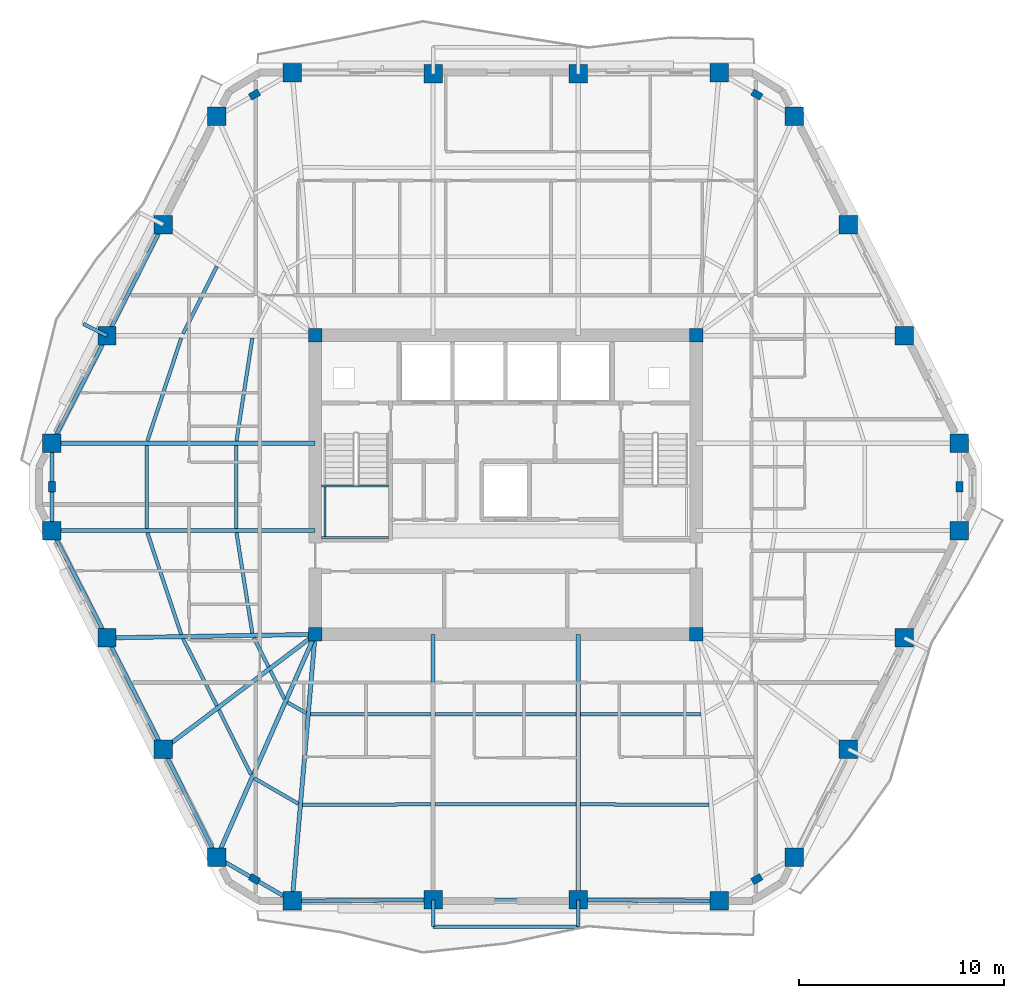
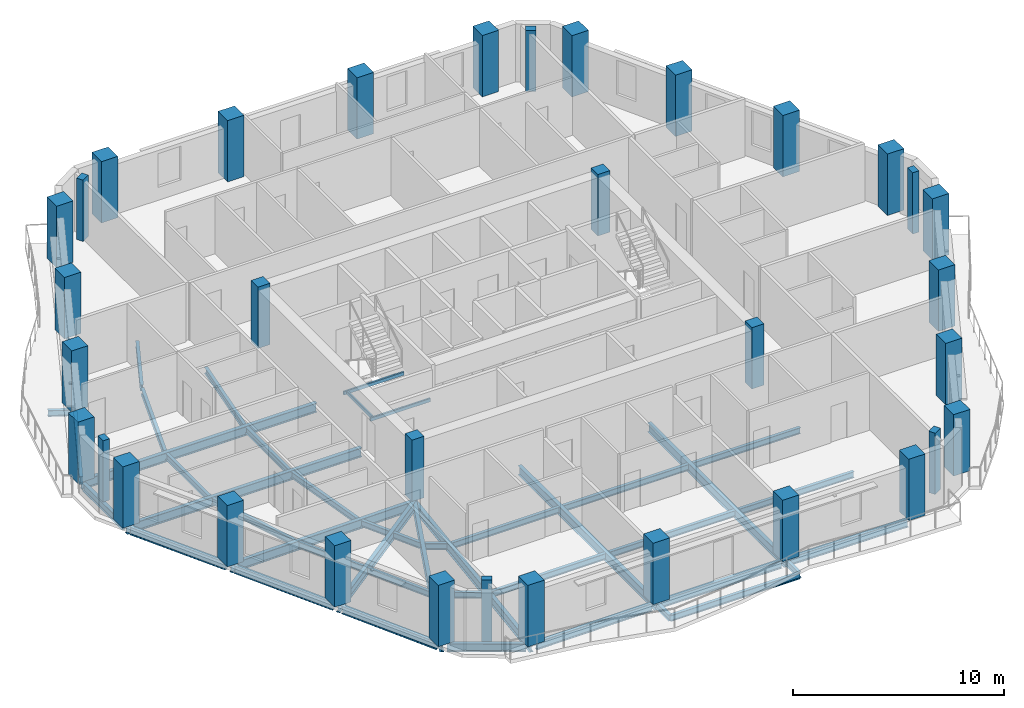
# One storey, part 1 of 12: 44 beams, 34 columns.
"""IFC4 building model written with IfcOpenShell, lengths in metres."""

from ifc_helpers import new_model, si_unit, direction, frame, origin, origin_2d, place, context, subcontext, project, spatial, rectangle, hollow_rectangle, i_section, extrude, material, material_profile, profile_set, type_object, element, save


model = new_model("IFC4")

# Units and contexts
model_context = context("Model", 3, precision=1e-05, world=origin(), true_north=direction((0.0, 1.0)))
body_context = subcontext(model_context, "Body", "Model", "MODEL_VIEW")
ifc_project = project(units=[si_unit("LENGTHUNIT", "METRE"), si_unit("AREAUNIT", "SQUARE_METRE"), si_unit("VOLUMEUNIT", "CUBIC_METRE"), si_unit("PLANEANGLEUNIT", "RADIAN"), si_unit("MASSUNIT", "GRAM", prefix="KILO")], contexts=[model_context])

# Site, building, storey
site_placement = place(None, origin())
site = spatial("IfcSite", under=ifc_project, at=site_placement, CompositionType="ELEMENT")
building_placement = place(site_placement, origin())
building = spatial("IfcBuilding", under=site, at=building_placement, Name="Cinnabar Lancet Tower", CompositionType="ELEMENT")
storey_placement = place(building_placement, frame((0.0, 0.0, 186.10009765625)))
storey = spatial("IfcBuildingStorey", under=building, at=storey_placement, Name="L49", CompositionType="ELEMENT", Elevation=186.10009765625)

# Columns
ifc_material_1 = material(Name="Concrete C60/75", Category="concrete")
ifc_material_profile_1 = material_profile(ifc_material_1, rectangle(XDim=0.64990234375, YDim=0.64990234375, at=origin_2d()), Name="RC-COL 650x650")
ifc_profile_set_1 = profile_set([ifc_material_profile_1], Name="Concrete C60/75")
column_type_1 = type_object("IfcColumnType", Name="STR-COL-CORE-650", PredefinedType="COLUMN", material=ifc_profile_set_1)
for number, where, z_axis, x_axis, name in (
    (1, (23.10009765625, 18.60009765625, 0.0), (0.0, 0.0, 1.0), (1.0, 0.0, 0.0), "L49 Core Corner Column SW"),
    (2, (41.699951171875, 18.60009765625, 0.0), (0.0, 0.0, 1.0), (1.0, 0.0, 0.0), "L49 Core Corner Column SE"),
    (3, (41.699951171875, 33.199951171875, 0.0), (0.0, 0.0, 1.0), (1.0, 0.0, 0.0), "L49 Core Corner Column NE"),
    (4, (23.10009765625, 33.199951171875, 0.0), (0.0, 0.0, 1.0), (1.0, 0.0, 0.0), "L49 Core Corner Column NW"),
):
    element("IfcColumn", number, at=place(storey_placement, frame(where, z_axis=z_axis, x_axis=x_axis)), inside=storey, type_object=column_type_1, Name=name, PredefinedType="COLUMN", context=body_context, shape_type="SweptSolid", body=[
        extrude(rectangle(XDim=0.64990234375, YDim=0.64990234375, at=origin_2d()), origin(), (0.0, 0.0, 1.0), 3.5498046875),
    ])
ifc_material_2 = material(Name="Concrete C60/75", Category="concrete")
ifc_material_profile_2 = material_profile(ifc_material_2, rectangle(XDim=0.5, YDim=0.35009765625, at=origin_2d()), Name="RC-PIL 500x350")
ifc_profile_set_2 = profile_set([ifc_material_profile_2], Name="Concrete C60/75")
column_type_2 = type_object("IfcColumnType", Name="STR-COL-PIL-500", PredefinedType="PILASTER", material=ifc_profile_set_2)
for number, where, z_axis, x_axis, name in (
    (5, (20.14208984375, 6.654052734375, 0.0), (0.0, 0.0, 1.0), (0.865230187018, -0.501374833306, 0.0), "L49 Chamfered Corner Pilaster 1"),
    (6, (44.657958984375, 6.654052734375, 0.0), (0.0, 0.0, 1.0), (0.865230187018, 0.501374833306, 0.0), "L49 Chamfered Corner Pilaster 2"),
    (7, (54.547119140625, 25.800048828125, 0.0), (0.0, 0.0, 1.0), (0.0, 1.0, 0.0), "L49 Chamfered Corner Pilaster 3"),
    (8, (44.657958984375, 44.947021484375, 0.0), (0.0, 0.0, 1.0), (-0.865230187018, 0.501374833306, 0.0), "L49 Chamfered Corner Pilaster 4"),
    (9, (20.14208984375, 44.947021484375, 0.0), (0.0, 0.0, 1.0), (-0.865230187018, -0.501374833306, 0.0), "L49 Chamfered Corner Pilaster 5"),
    (10, (10.2529296875, 25.800048828125, 0.0), (0.0, 0.0, 1.0), (0.0, -1.0, 0.0), "L49 Chamfered Corner Pilaster 6"),
):
    element("IfcColumn", number, at=place(storey_placement, frame(where, z_axis=z_axis, x_axis=x_axis)), inside=storey, type_object=column_type_2, Name=name, PredefinedType="PILASTER", context=body_context, shape_type="SweptSolid", body=[
        extrude(rectangle(XDim=0.5, YDim=0.35009765625, at=origin_2d()), origin(), (0.0, 0.0, 1.0), 3.5498046875),
    ])
ifc_material_3 = material(Name="Concrete C60/75", Category="concrete")
ifc_material_profile_3 = material_profile(ifc_material_3, rectangle(XDim=0.89990234375, YDim=0.89990234375, at=origin_2d()), Name="RC-COL 900x900")
ifc_profile_set_3 = profile_set([ifc_material_profile_3], Name="Concrete C60/75")
column_type_3 = type_object("IfcColumnType", Name="STR-COL-TUBE-900", PredefinedType="COLUMN", material=ifc_profile_set_3)
for number, where, z_axis, x_axis, name in (
    (11, (21.97900390625, 5.589111328125, 0.0), (0.0, 0.0, 1.0), (1.0, 0.0, 0.0), "L49 Perimeter Tube Column 1"),
    (12, (28.85693359375, 5.64208984375, 0.0), (0.0, 0.0, 1.0), (1.0, 0.0, 0.0), "L49 Perimeter Tube Column 2"),
    (13, (35.943115234375, 5.64208984375, 0.0), (0.0, 0.0, 1.0), (1.0, 0.0, 0.0), "L49 Perimeter Tube Column 3"),
    (14, (42.821044921875, 5.589111328125, 0.0), (0.0, 0.0, 1.0), (1.0, 0.0, 0.0), "L49 Perimeter Tube Column 4"),
    (15, (46.4951171875, 7.718017578125, 0.0), (0.0, 0.0, 1.0), (1.0, 0.0, 0.0), "L49 Perimeter Tube Column 5"),
    (16, (49.118896484375, 13.0009765625, 0.0), (0.0, 0.0, 1.0), (1.0, 0.0, 0.0), "L49 Perimeter Tube Column 6"),
    (17, (51.85791015625, 18.428955078125, 0.0), (0.0, 0.0, 1.0), (1.0, 0.0, 0.0), "L49 Perimeter Tube Column 7"),
    (18, (54.547119140625, 23.66796875, 0.0), (0.0, 0.0, 1.0), (1.0, 0.0, 0.0), "L49 Perimeter Tube Column 8"),
    (19, (54.547119140625, 27.931884765625, 0.0), (0.0, 0.0, 1.0), (1.0, 0.0, 0.0), "L49 Perimeter Tube Column 9"),
    (20, (51.85791015625, 33.1708984375, 0.0), (0.0, 0.0, 1.0), (1.0, 0.0, 0.0), "L49 Perimeter Tube Column 10"),
    (21, (49.118896484375, 38.59912109375, 0.0), (0.0, 0.0, 1.0), (1.0, 0.0, 0.0), "L49 Perimeter Tube Column 11"),
    (22, (46.4951171875, 43.882080078125, 0.0), (0.0, 0.0, 1.0), (1.0, 0.0, 0.0), "L49 Perimeter Tube Column 12"),
    (23, (42.821044921875, 46.010986328125, 0.0), (0.0, 0.0, 1.0), (1.0, 0.0, 0.0), "L49 Perimeter Tube Column 13"),
    (24, (35.943115234375, 45.9580078125, 0.0), (0.0, 0.0, 1.0), (1.0, 0.0, 0.0), "L49 Perimeter Tube Column 14"),
    (25, (28.85693359375, 45.9580078125, 0.0), (0.0, 0.0, 1.0), (1.0, 0.0, 0.0), "L49 Perimeter Tube Column 15"),
    (26, (21.97900390625, 46.010986328125, 0.0), (0.0, 0.0, 1.0), (1.0, 0.0, 0.0), "L49 Perimeter Tube Column 16"),
    (27, (18.304931640625, 43.882080078125, 0.0), (0.0, 0.0, 1.0), (1.0, 0.0, 0.0), "L49 Perimeter Tube Column 17"),
    (28, (15.680908203125, 38.59912109375, 0.0), (0.0, 0.0, 1.0), (1.0, 0.0, 0.0), "L49 Perimeter Tube Column 18"),
    (29, (12.94189453125, 33.1708984375, 0.0), (0.0, 0.0, 1.0), (1.0, 0.0, 0.0), "L49 Perimeter Tube Column 19"),
    (30, (10.2529296875, 27.931884765625, 0.0), (0.0, 0.0, 1.0), (1.0, 0.0, 0.0), "L49 Perimeter Tube Column 20"),
    (31, (10.2529296875, 23.66796875, 0.0), (0.0, 0.0, 1.0), (1.0, 0.0, 0.0), "L49 Perimeter Tube Column 21"),
    (32, (12.94189453125, 18.428955078125, 0.0), (0.0, 0.0, 1.0), (1.0, 0.0, 0.0), "L49 Perimeter Tube Column 22"),
    (33, (15.680908203125, 13.0009765625, 0.0), (0.0, 0.0, 1.0), (1.0, 0.0, 0.0), "L49 Perimeter Tube Column 23"),
    (34, (18.304931640625, 7.718017578125, 0.0), (0.0, 0.0, 1.0), (1.0, 0.0, 0.0), "L49 Perimeter Tube Column 24"),
):
    element("IfcColumn", number, at=place(storey_placement, frame(where, z_axis=z_axis, x_axis=x_axis)), inside=storey, type_object=column_type_3, Name=name, PredefinedType="COLUMN", context=body_context, shape_type="SweptSolid", body=[
        extrude(rectangle(XDim=0.89990234375, YDim=0.89990234375, at=origin_2d()), origin(), (0.0, 0.0, 1.0), 3.5498046875),
    ])

# Beams
ifc_material_4 = material(Name="Structural steel S355", Category="steel")
ifc_material_profile_4 = material_profile(ifc_material_4, i_section(OverallWidth=0.17138671875, OverallDepth=0.35498046875, WebThickness=0.00732421875, FlangeThickness=0.011474609375, FilletRadius=0.01025390625, at=origin_2d()), Name="UKB 356x171x51")
ifc_profile_set_4 = profile_set([ifc_material_profile_4], Name="Structural steel S355")
beam_type_1 = type_object("IfcBeamType", Name="STR-BM-JST-356", PredefinedType="JOIST", material=ifc_profile_set_4)
beam_1_placement = place(storey_placement, frame((14.9130859375, 23.56298828125, -0.378173828125), z_axis=(0.315346227037, -0.948976689436, 0.0), x_axis=(0.948976689436, 0.315346227037, 0.0)))
element("IfcBeam", 35, at=beam_1_placement, inside=storey, type_object=beam_type_1, Name="L49 Secondary Floor Joist 1", PredefinedType="JOIST", context=body_context, shape_type="SweptSolid", body=[
    extrude(i_section(OverallWidth=0.17138671875, OverallDepth=0.35498046875, WebThickness=0.00732421875, FlangeThickness=0.011474609375, FilletRadius=0.01025390625, at=origin_2d()), origin(), (0.0, 0.0, 1.0), 5.235107421875),
])
beam_2_placement = place(storey_placement, frame((19.261962890625, 23.56298828125, -0.378173828125), z_axis=(0.155702775827, -0.987803950994, 0.0), x_axis=(0.987803950994, 0.155702775827, 0.0)))
element("IfcBeam", 36, at=beam_2_placement, inside=storey, type_object=beam_type_1, Name="L49 Secondary Floor Joist 2", PredefinedType="JOIST", context=body_context, shape_type="SweptSolid", body=[
    extrude(i_section(OverallWidth=0.17138671875, OverallDepth=0.35498046875, WebThickness=0.00732421875, FlangeThickness=0.011474609375, FilletRadius=0.01025390625, at=origin_2d()), origin(), (0.0, 0.0, 1.0), 4.970458984375),
])
beam_3_placement = place(storey_placement, frame((16.65087890625, 18.386962890625, -0.378173828125), z_axis=(0.45061776862, -0.892716991327, 0.0), x_axis=(0.892716991327, 0.45061776862, 0.0)))
element("IfcBeam", 37, at=beam_3_placement, inside=storey, type_object=beam_type_1, Name="L49 Secondary Floor Joist 3", PredefinedType="JOIST", context=body_context, shape_type="SweptSolid", body=[
    extrude(i_section(OverallWidth=0.17138671875, OverallDepth=0.35498046875, WebThickness=0.00732421875, FlangeThickness=0.011474609375, FilletRadius=0.01025390625, at=origin_2d()), origin(), (0.0, 0.0, 1.0), 3.66845703125),
])
beam_4_placement = place(storey_placement, frame((20.10498046875, 18.445068359375, -0.378173828125), z_axis=(0.450137936259, -0.892959035085, 0.0), x_axis=(0.892959035085, 0.450137936259, 0.0)))
element("IfcBeam", 38, at=beam_4_placement, inside=storey, type_object=beam_type_1, Name="L49 Secondary Floor Joist 4", PredefinedType="JOIST", context=body_context, shape_type="SweptSolid", body=[
    extrude(i_section(OverallWidth=0.17138671875, OverallDepth=0.35498046875, WebThickness=0.00732421875, FlangeThickness=0.011474609375, FilletRadius=0.01025390625, at=origin_2d()), origin(), (0.0, 0.0, 1.0), 1.6015625),
])
beam_5_placement = place(storey_placement, frame((18.39892578125, 14.9208984375, -0.378173828125), z_axis=(0.445083338565, -0.895489152214, 0.0), x_axis=(0.895489152214, 0.445083338565, 0.0)))
element("IfcBeam", 39, at=beam_5_placement, inside=storey, type_object=beam_type_1, Name="L49 Secondary Floor Joist 5", PredefinedType="JOIST", context=body_context, shape_type="SweptSolid", body=[
    extrude(i_section(OverallWidth=0.17138671875, OverallDepth=0.35498046875, WebThickness=0.00732421875, FlangeThickness=0.011474609375, FilletRadius=0.01025390625, at=origin_2d()), origin(), (0.0, 0.0, 1.0), 3.531982421875),
])
beam_6_placement = place(storey_placement, frame((20.922119140625, 16.824951171875, -0.378173828125), z_axis=(0.444589856968, -0.895734256954, 0.0), x_axis=(0.895734256954, 0.444589856968, 0.0)))
element("IfcBeam", 40, at=beam_6_placement, inside=storey, type_object=beam_type_1, Name="L49 Secondary Floor Joist 6", PredefinedType="JOIST", context=body_context, shape_type="SweptSolid", body=[
    extrude(i_section(OverallWidth=0.17138671875, OverallDepth=0.35498046875, WebThickness=0.00732421875, FlangeThickness=0.011474609375, FilletRadius=0.01025390625, at=origin_2d()), origin(), (0.0, 0.0, 1.0), 1.527099609375),
])
beam_7_placement = place(storey_placement, frame((20.1220703125, 11.5830078125, -0.378173828125), z_axis=(0.865267839663, -0.501309849937, 0.0), x_axis=(0.501309849937, 0.865267839663, 0.0)))
element("IfcBeam", 41, at=beam_7_placement, inside=storey, type_object=beam_type_1, Name="L49 Secondary Floor Joist 7", PredefinedType="JOIST", context=body_context, shape_type="SweptSolid", body=[
    extrude(i_section(OverallWidth=0.17138671875, OverallDepth=0.35498046875, WebThickness=0.00732421875, FlangeThickness=0.011474609375, FilletRadius=0.01025390625, at=origin_2d()), origin(), (0.0, 0.0, 1.0), 2.497314453125),
])
beam_8_placement = place(storey_placement, frame((21.7529296875, 15.282958984375, -0.378173828125), z_axis=(0.8651881055, -0.501447446998, 0.0), x_axis=(0.501447446998, 0.8651881055, 0.0)))
element("IfcBeam", 42, at=beam_8_placement, inside=storey, type_object=beam_type_1, Name="L49 Secondary Floor Joist 8", PredefinedType="JOIST", context=body_context, shape_type="SweptSolid", body=[
    extrude(i_section(OverallWidth=0.17138671875, OverallDepth=0.35498046875, WebThickness=0.00732421875, FlangeThickness=0.011474609375, FilletRadius=0.01025390625, at=origin_2d()), origin(), (0.0, 0.0, 1.0), 1.05322265625),
])
beam_9_placement = place(storey_placement, frame((22.488037109375, 10.27392578125, -0.378173828125), z_axis=(0.999986965561, 0.005105752523, 0.0), x_axis=(-0.005105752523, 0.999986965561, 0.0)))
element("IfcBeam", 43, at=beam_9_placement, inside=storey, type_object=beam_type_1, Name="L49 Secondary Floor Joist 9", PredefinedType="JOIST", context=body_context, shape_type="SweptSolid", body=[
    extrude(i_section(OverallWidth=0.17138671875, OverallDepth=0.35498046875, WebThickness=0.00732421875, FlangeThickness=0.011474609375, FilletRadius=0.01025390625, at=origin_2d()), origin(), (0.0, 0.0, 1.0), 6.263916015625),
])
beam_10_placement = place(storey_placement, frame((22.868896484375, 14.697021484375, -0.378173828125), z_axis=(0.999996795933, 0.002531427338, 0.0), x_axis=(-0.002531427338, 0.999996795933, 0.0)))
element("IfcBeam", 44, at=beam_10_placement, inside=storey, type_object=beam_type_1, Name="L49 Secondary Floor Joist 10", PredefinedType="JOIST", context=body_context, shape_type="SweptSolid", body=[
    extrude(i_section(OverallWidth=0.17138671875, OverallDepth=0.35498046875, WebThickness=0.00732421875, FlangeThickness=0.011474609375, FilletRadius=0.01025390625, at=origin_2d()), origin(), (0.0, 0.0, 1.0), 5.883056640625),
])
for number, where, z_axis, x_axis, name in (
    (45, (28.9619140625, 10.306884765625, -0.378173828125), (1.0, 0.0, 0.0), (0.0, 1.0, 0.0), "L49 Secondary Floor Joist 11"),
    (46, (28.9619140625, 14.712890625, -0.378173828125), (1.0, 0.0, 0.0), (0.0, 1.0, 0.0), "L49 Secondary Floor Joist 12"),
):
    element("IfcBeam", number, at=place(storey_placement, frame(where, z_axis=z_axis, x_axis=x_axis)), inside=storey, type_object=beam_type_1, Name=name, PredefinedType="JOIST", context=body_context, shape_type="SweptSolid", body=[
        extrude(i_section(OverallWidth=0.17138671875, OverallDepth=0.35498046875, WebThickness=0.00732421875, FlangeThickness=0.011474609375, FilletRadius=0.01025390625, at=origin_2d()), origin(), (0.0, 0.0, 1.0), 6.8759765625),
    ])
beam_11_placement = place(storey_placement, frame((36.048095703125, 10.305908203125, -0.378173828125), z_axis=(0.999986965561, -0.005105752523, 0.0), x_axis=(0.005105752523, 0.999986965561, 0.0)))
element("IfcBeam", 47, at=beam_11_placement, inside=storey, type_object=beam_type_1, Name="L49 Secondary Floor Joist 13", PredefinedType="JOIST", context=body_context, shape_type="SweptSolid", body=[
    extrude(i_section(OverallWidth=0.17138671875, OverallDepth=0.35498046875, WebThickness=0.00732421875, FlangeThickness=0.011474609375, FilletRadius=0.01025390625, at=origin_2d()), origin(), (0.0, 0.0, 1.0), 6.263916015625),
])
beam_12_placement = place(storey_placement, frame((36.048095703125, 14.7119140625, -0.378173828125), z_axis=(0.999996795667, -0.002531532393, 0.0), x_axis=(0.002531532393, 0.999996795667, 0.0)))
element("IfcBeam", 48, at=beam_12_placement, inside=storey, type_object=beam_type_1, Name="L49 Secondary Floor Joist 14", PredefinedType="JOIST", context=body_context, shape_type="SweptSolid", body=[
    extrude(i_section(OverallWidth=0.17138671875, OverallDepth=0.35498046875, WebThickness=0.00732421875, FlangeThickness=0.011474609375, FilletRadius=0.01025390625, at=origin_2d()), origin(), (0.0, 0.0, 1.0), 5.8828125),
])
beam_13_placement = place(storey_placement, frame((18.303955078125, 36.56103515625, -0.378173828125), z_axis=(-0.449230875134, -0.893415704376, 0.0), x_axis=(0.893415704376, -0.449230875134, 0.0)))
element("IfcBeam", 49, at=beam_13_placement, inside=storey, type_object=beam_type_1, Name="L49 Secondary Floor Joist 43", PredefinedType="JOIST", context=body_context, shape_type="SweptSolid", body=[
    extrude(i_section(OverallWidth=0.17138671875, OverallDepth=0.35498046875, WebThickness=0.00732421875, FlangeThickness=0.011474609375, FilletRadius=0.01025390625, at=origin_2d()), origin(), (0.0, 0.0, 1.0), 3.677001953125),
])
beam_14_placement = place(storey_placement, frame((16.56494140625, 33.06591796875, -0.378173828125), z_axis=(-0.312240109925, -0.95000321776, 0.0), x_axis=(0.95000321776, -0.312240109925, 0.0)))
element("IfcBeam", 50, at=beam_14_placement, inside=storey, type_object=beam_type_1, Name="L49 Secondary Floor Joist 45", PredefinedType="JOIST", context=body_context, shape_type="SweptSolid", body=[
    extrude(i_section(OverallWidth=0.17138671875, OverallDepth=0.35498046875, WebThickness=0.00732421875, FlangeThickness=0.011474609375, FilletRadius=0.01025390625, at=origin_2d()), origin(), (0.0, 0.0, 1.0), 5.29345703125),
])
beam_15_placement = place(storey_placement, frame((20.035888671875, 33.06591796875, -0.378173828125), z_axis=(-0.152107663797, -0.988363930248, 0.0), x_axis=(0.988363930248, -0.152107663797, 0.0)))
element("IfcBeam", 51, at=beam_15_placement, inside=storey, type_object=beam_type_1, Name="L49 Secondary Floor Joist 46", PredefinedType="JOIST", context=body_context, shape_type="SweptSolid", body=[
    extrude(i_section(OverallWidth=0.17138671875, OverallDepth=0.35498046875, WebThickness=0.00732421875, FlangeThickness=0.011474609375, FilletRadius=0.01025390625, at=origin_2d()), origin(), (0.0, 0.0, 1.0), 5.088134765625),
])
for number, where, z_axis, x_axis, name in (
    (52, (14.8779296875, 27.826904296875, -0.378173828125), (0.0, -1.0, 0.0), (1.0, 0.0, 0.0), "L49 Secondary Floor Joist 47"),
    (53, (19.24609375, 27.826904296875, -0.378173828125), (0.0, -1.0, 0.0), (1.0, 0.0, 0.0), "L49 Secondary Floor Joist 48"),
):
    element("IfcBeam", number, at=place(storey_placement, frame(where, z_axis=z_axis, x_axis=x_axis)), inside=storey, type_object=beam_type_1, Name=name, PredefinedType="JOIST", context=body_context, shape_type="SweptSolid", body=[
        extrude(i_section(OverallWidth=0.17138671875, OverallDepth=0.35498046875, WebThickness=0.00732421875, FlangeThickness=0.011474609375, FilletRadius=0.01025390625, at=origin_2d()), origin(), (0.0, 0.0, 1.0), 4.053955078125),
    ])
ifc_material_5 = material(Name="Structural steel S355", Category="steel")
ifc_material_profile_5 = material_profile(ifc_material_5, hollow_rectangle(XDim=0.10009765625, YDim=0.199951171875, WallThickness=0.008056640625, InnerFilletRadius=0.00390625, OuterFilletRadius=0.011962890625, at=origin_2d()), Name="RHS 200x100x8")
ifc_profile_set_5 = profile_set([ifc_material_profile_5], Name="Structural steel S355")
beam_type_2 = type_object("IfcBeamType", Name="STR-BM-LND-203", PredefinedType="BEAM", material=ifc_profile_set_5)
for number, where, z_axis, x_axis, name in (
    (54, (23.39990234375, 23.330078125, 1.474853515625), (1.0, 0.0, 0.0), (0.0, 1.0, 0.0), "L49 ST-1-L49 Landing Support Beam S"),
    (55, (23.39990234375, 25.844970703125, 1.474853515625), (1.0, 0.0, 0.0), (0.0, 1.0, 0.0), "L49 ST-1-L49 Landing Support Beam N"),
):
    element("IfcBeam", number, at=place(storey_placement, frame(where, z_axis=z_axis, x_axis=x_axis)), inside=storey, type_object=beam_type_2, Name=name, PredefinedType="BEAM", context=body_context, shape_type="SweptSolid", body=[
        extrude(hollow_rectangle(XDim=0.10009765625, YDim=0.199951171875, WallThickness=0.008056640625, InnerFilletRadius=0.00390625, OuterFilletRadius=0.011962890625, at=origin_2d()), origin(), (0.0, 0.0, 1.0), 3.280029296875),
    ])
beam_16_placement = place(storey_placement, frame((23.580078125, 23.3798828125, 1.474853515625), z_axis=(0.0, 1.0, 0.0), x_axis=(-1.0, 0.0, 0.0)))
element("IfcBeam", 56, at=beam_16_placement, inside=storey, type_object=beam_type_2, Name="L49 ST-1-L49 Landing Side Trimmer Beam", PredefinedType="BEAM", context=body_context, shape_type="SweptSolid", body=[
    extrude(hollow_rectangle(XDim=0.10009765625, YDim=0.199951171875, WallThickness=0.008056640625, InnerFilletRadius=0.00390625, OuterFilletRadius=0.011962890625, at=origin_2d()), origin(), (0.0, 0.0, 1.0), 2.4150390625),
])
ifc_material_6 = material(Name="Structural steel S355", Category="steel")
ifc_material_profile_6 = material_profile(ifc_material_6, i_section(OverallWidth=0.1904296875, OverallDepth=0.45703125, WebThickness=0.009033203125, FlangeThickness=0.014404296875, FilletRadius=0.01025390625, at=origin_2d()), Name="UKB 457x191x74")
ifc_profile_set_6 = profile_set([ifc_material_profile_6], Name="Structural steel S355")
beam_type_3 = type_object("IfcBeamType", Name="STR-BM-SPN-457", PredefinedType="SPANDREL", material=ifc_profile_set_6)
beam_17_placement = place(storey_placement, frame((22.22900390625, 5.591064453125, -0.427978515625), z_axis=(0.999970695686, 0.007655571089, 0.0), x_axis=(-0.007655571089, 0.999970695686, 0.0)))
element("IfcBeam", 57, at=beam_17_placement, inside=storey, type_object=beam_type_3, Name="L49 Perimeter Spandrel 1", PredefinedType="SPANDREL", context=body_context, shape_type="SweptSolid", body=[
    extrude(i_section(OverallWidth=0.1904296875, OverallDepth=0.45703125, WebThickness=0.009033203125, FlangeThickness=0.014404296875, FilletRadius=0.01025390625, at=origin_2d()), origin(), (0.0, 0.0, 1.0), 6.378173828125),
])
beam_18_placement = place(storey_placement, frame((29.10693359375, 5.64208984375, -0.427978515625), z_axis=(1.0, 0.0, 0.0), x_axis=(0.0, 1.0, 0.0)))
element("IfcBeam", 58, at=beam_18_placement, inside=storey, type_object=beam_type_3, Name="L49 Perimeter Spandrel 2", PredefinedType="SPANDREL", context=body_context, shape_type="SweptSolid", body=[
    extrude(i_section(OverallWidth=0.1904296875, OverallDepth=0.45703125, WebThickness=0.009033203125, FlangeThickness=0.014404296875, FilletRadius=0.01025390625, at=origin_2d()), origin(), (0.0, 0.0, 1.0), 6.586181640625),
])
beam_19_placement = place(storey_placement, frame((36.193115234375, 5.639892578125, -0.427978515625), z_axis=(0.999970695686, -0.007655571089, 0.0), x_axis=(0.007655571089, 0.999970695686, 0.0)))
element("IfcBeam", 59, at=beam_19_placement, inside=storey, type_object=beam_type_3, Name="L49 Perimeter Spandrel 3", PredefinedType="SPANDREL", context=body_context, shape_type="SweptSolid", body=[
    extrude(i_section(OverallWidth=0.1904296875, OverallDepth=0.45703125, WebThickness=0.009033203125, FlangeThickness=0.014404296875, FilletRadius=0.01025390625, at=origin_2d()), origin(), (0.0, 0.0, 1.0), 6.378173828125),
])
beam_20_placement = place(storey_placement, frame((15.568115234375, 38.3759765625, -0.427978515625), z_axis=(-0.450395996562, -0.892828900899, 0.0), x_axis=(0.892828900899, -0.450395996562, 0.0)))
element("IfcBeam", 60, at=beam_20_placement, inside=storey, type_object=beam_type_3, Name="L49 Perimeter Spandrel 18", PredefinedType="SPANDREL", context=body_context, shape_type="SweptSolid", body=[
    extrude(i_section(OverallWidth=0.1904296875, OverallDepth=0.45703125, WebThickness=0.009033203125, FlangeThickness=0.014404296875, FilletRadius=0.01025390625, at=origin_2d()), origin(), (0.0, 0.0, 1.0), 5.579833984375),
])
beam_21_placement = place(storey_placement, frame((12.827880859375, 32.948974609375, -0.427978515625), z_axis=(-0.456610910924, -0.889666497079, 0.0), x_axis=(0.889666497079, -0.456610910924, 0.0)))
element("IfcBeam", 61, at=beam_21_placement, inside=storey, type_object=beam_type_3, Name="L49 Perimeter Spandrel 19", PredefinedType="SPANDREL", context=body_context, shape_type="SweptSolid", body=[
    extrude(i_section(OverallWidth=0.1904296875, OverallDepth=0.45703125, WebThickness=0.009033203125, FlangeThickness=0.014404296875, FilletRadius=0.01025390625, at=origin_2d()), origin(), (0.0, 0.0, 1.0), 5.3896484375),
])
beam_22_placement = place(storey_placement, frame((10.2529296875, 27.681884765625, -0.427978515625), z_axis=(0.0, -1.0, 0.0), x_axis=(1.0, 0.0, 0.0)))
element("IfcBeam", 62, at=beam_22_placement, inside=storey, type_object=beam_type_3, Name="L49 Perimeter Spandrel 20", PredefinedType="SPANDREL", context=body_context, shape_type="SweptSolid", body=[
    extrude(i_section(OverallWidth=0.1904296875, OverallDepth=0.45703125, WebThickness=0.009033203125, FlangeThickness=0.014404296875, FilletRadius=0.01025390625, at=origin_2d()), origin(), (0.0, 0.0, 1.0), 3.763916015625),
])
beam_23_placement = place(storey_placement, frame((10.366943359375, 23.446044921875, -0.427978515625), z_axis=(0.456592509812, -0.889675940994, 0.0), x_axis=(0.889675940994, 0.456592509812, 0.0)))
element("IfcBeam", 63, at=beam_23_placement, inside=storey, type_object=beam_type_3, Name="L49 Perimeter Spandrel 21", PredefinedType="SPANDREL", context=body_context, shape_type="SweptSolid", body=[
    extrude(i_section(OverallWidth=0.1904296875, OverallDepth=0.45703125, WebThickness=0.009033203125, FlangeThickness=0.014404296875, FilletRadius=0.01025390625, at=origin_2d()), origin(), (0.0, 0.0, 1.0), 5.389892578125),
])
beam_24_placement = place(storey_placement, frame((13.054931640625, 18.2060546875, -0.427978515625), z_axis=(0.450395996562, -0.892828900899, 0.0), x_axis=(0.892828900899, 0.450395996562, 0.0)))
element("IfcBeam", 64, at=beam_24_placement, inside=storey, type_object=beam_type_3, Name="L49 Perimeter Spandrel 22", PredefinedType="SPANDREL", context=body_context, shape_type="SweptSolid", body=[
    extrude(i_section(OverallWidth=0.1904296875, OverallDepth=0.45703125, WebThickness=0.009033203125, FlangeThickness=0.014404296875, FilletRadius=0.01025390625, at=origin_2d()), origin(), (0.0, 0.0, 1.0), 5.579833984375),
])
beam_25_placement = place(storey_placement, frame((15.7919921875, 12.777099609375, -0.427978515625), z_axis=(0.444914968367, -0.895572817208, 0.0), x_axis=(0.895572817208, 0.444914968367, 0.0)))
element("IfcBeam", 65, at=beam_25_placement, inside=storey, type_object=beam_type_3, Name="L49 Perimeter Spandrel 23", PredefinedType="SPANDREL", context=body_context, shape_type="SweptSolid", body=[
    extrude(i_section(OverallWidth=0.1904296875, OverallDepth=0.45703125, WebThickness=0.009033203125, FlangeThickness=0.014404296875, FilletRadius=0.01025390625, at=origin_2d()), origin(), (0.0, 0.0, 1.0), 5.39892578125),
])
beam_26_placement = place(storey_placement, frame((18.52099609375, 7.593017578125, -0.427978515625), z_axis=(0.865195717586, -0.501434313016, 0.0), x_axis=(0.501434313016, 0.865195717586, 0.0)))
element("IfcBeam", 66, at=beam_26_placement, inside=storey, type_object=beam_type_3, Name="L49 Perimeter Spandrel 24", PredefinedType="SPANDREL", context=body_context, shape_type="SweptSolid", body=[
    extrude(i_section(OverallWidth=0.1904296875, OverallDepth=0.45703125, WebThickness=0.009033203125, FlangeThickness=0.014404296875, FilletRadius=0.01025390625, at=origin_2d()), origin(), (0.0, 0.0, 1.0), 3.7470703125),
])
ifc_material_7 = material(Name="Structural steel S355", Category="steel")
ifc_material_profile_7 = material_profile(ifc_material_7, i_section(OverallWidth=0.209228515625, OverallDepth=0.533203125, WebThickness=0.010009765625, FlangeThickness=0.015625, FilletRadius=0.0126953125, at=origin_2d()), Name="UKB 533x210x92")
ifc_profile_set_7 = profile_set([ifc_material_profile_7], Name="Structural steel S355")
beam_type_4 = type_object("IfcBeamType", Name="STR-BM-UKB533-92", PredefinedType="BEAM", material=ifc_profile_set_7)
beam_27_placement = place(storey_placement, frame((15.680908203125, 13.0009765625, -0.467041015625), z_axis=(0.798202971293, 0.602388592703, 0.0), x_axis=(-0.602388592703, 0.798202971293, 0.0)))
element("IfcBeam", 67, at=beam_27_placement, inside=storey, type_object=beam_type_4, Name="L49 Corner Collector Girder 1", PredefinedType="BEAM", context=body_context, shape_type="SweptSolid", body=[
    extrude(i_section(OverallWidth=0.209228515625, OverallDepth=0.533203125, WebThickness=0.010009765625, FlangeThickness=0.015625, FilletRadius=0.0126953125, at=origin_2d()), origin(), (0.0, 0.0, 1.0), 9.294921875),
])
beam_28_placement = place(storey_placement, frame((21.97900390625, 5.589111328125, -0.467041015625), z_axis=(0.085847068729, 0.996308326167, 0.0), x_axis=(-0.996308326167, 0.085847068729, 0.0)))
element("IfcBeam", 68, at=beam_28_placement, inside=storey, type_object=beam_type_4, Name="L49 Primary Floor Girder 1", PredefinedType="BEAM", context=body_context, shape_type="SweptSolid", body=[
    extrude(i_section(OverallWidth=0.209228515625, OverallDepth=0.533203125, WebThickness=0.010009765625, FlangeThickness=0.015625, FilletRadius=0.0126953125, at=origin_2d()), origin(), (0.0, 0.0, 1.0), 13.05908203125),
])
for number, where, z_axis, x_axis, name in (
    (69, (28.85693359375, 5.64208984375, -0.467041015625), (0.0, 1.0, 0.0), (-1.0, 0.0, 0.0), "L49 Primary Floor Girder 2"),
    (70, (35.943115234375, 5.64208984375, -0.467041015625), (0.0, 1.0, 0.0), (-1.0, 0.0, 0.0), "L49 Primary Floor Girder 3"),
):
    element("IfcBeam", number, at=place(storey_placement, frame(where, z_axis=z_axis, x_axis=x_axis)), inside=storey, type_object=beam_type_4, Name=name, PredefinedType="BEAM", context=body_context, shape_type="SweptSolid", body=[
        extrude(i_section(OverallWidth=0.209228515625, OverallDepth=0.533203125, WebThickness=0.010009765625, FlangeThickness=0.015625, FilletRadius=0.0126953125, at=origin_2d()), origin(), (0.0, 0.0, 1.0), 12.9580078125),
    ])
for number, where, z_axis, x_axis, name in (
    (71, (10.2529296875, 27.931884765625, -0.467041015625), (1.0, 0.0, 0.0), (0.0, 1.0, 0.0), "L49 Primary Floor Girder 20"),
    (72, (10.2529296875, 23.66796875, -0.467041015625), (1.0, 0.0, 0.0), (0.0, 1.0, 0.0), "L49 Primary Floor Girder 21"),
):
    element("IfcBeam", number, at=place(storey_placement, frame(where, z_axis=z_axis, x_axis=x_axis)), inside=storey, type_object=beam_type_4, Name=name, PredefinedType="BEAM", context=body_context, shape_type="SweptSolid", body=[
        extrude(i_section(OverallWidth=0.209228515625, OverallDepth=0.533203125, WebThickness=0.010009765625, FlangeThickness=0.015625, FilletRadius=0.0126953125, at=origin_2d()), origin(), (0.0, 0.0, 1.0), 12.84716796875),
    ])
beam_29_placement = place(storey_placement, frame((12.94189453125, 18.428955078125, -0.467041015625), z_axis=(0.999858107345, 0.016845331024, 0.0), x_axis=(-0.016845331024, 0.999858107345, 0.0)))
element("IfcBeam", 73, at=beam_29_placement, inside=storey, type_object=beam_type_4, Name="L49 Primary Floor Girder 22", PredefinedType="BEAM", context=body_context, shape_type="SweptSolid", body=[
    extrude(i_section(OverallWidth=0.209228515625, OverallDepth=0.533203125, WebThickness=0.010009765625, FlangeThickness=0.015625, FilletRadius=0.0126953125, at=origin_2d()), origin(), (0.0, 0.0, 1.0), 10.15966796875),
])
beam_30_placement = place(storey_placement, frame((18.304931640625, 7.718017578125, -0.467041015625), z_axis=(0.403235299754, 0.915096329919, 0.0), x_axis=(-0.915096329919, 0.403235299754, 0.0)))
element("IfcBeam", 74, at=beam_30_placement, inside=storey, type_object=beam_type_4, Name="L49 Primary Floor Girder 24", PredefinedType="BEAM", context=body_context, shape_type="SweptSolid", body=[
    extrude(i_section(OverallWidth=0.209228515625, OverallDepth=0.533203125, WebThickness=0.010009765625, FlangeThickness=0.015625, FilletRadius=0.0126953125, at=origin_2d()), origin(), (0.0, 0.0, 1.0), 11.891845703125),
])
ifc_material_8 = material(Name="Structural steel S355", Category="steel")
ifc_material_profile_8 = material_profile(ifc_material_8, i_section(OverallWidth=0.17138671875, OverallDepth=0.35498046875, WebThickness=0.00732421875, FlangeThickness=0.011474609375, FilletRadius=0.01025390625, at=origin_2d()), Name="UKB 356x171x51")
ifc_profile_set_8 = profile_set([ifc_material_profile_8], Name="Structural steel S355")
beam_type_5 = type_object("IfcBeamType", Name="STR-BM-WAV-OUT", PredefinedType="BEAM", material=ifc_profile_set_8)
for number, where, z_axis, x_axis, name in (
    (75, (28.85693359375, 5.64208984375, -0.398193359375), (0.0, -1.0, 0.0), (1.0, 0.0, 0.0), "L49 Face 1 Balcony Outlooker A"),
    (76, (35.943115234375, 5.64208984375, -0.398193359375), (0.0, -1.0, 0.0), (1.0, 0.0, 0.0), "L49 Face 1 Balcony Outlooker B"),
    (77, (12.94189453125, 33.1708984375, -0.398193359375), (-0.892200264127, 0.451639998995, 0.0), (-0.451639998995, -0.892200264127, 0.0), "L49 Face 5 Balcony Outlooker B"),
):
    element("IfcBeam", number, at=place(storey_placement, frame(where, z_axis=z_axis, x_axis=x_axis)), inside=storey, type_object=beam_type_5, Name=name, PredefinedType="BEAM", context=body_context, shape_type="SweptSolid", body=[
        extrude(i_section(OverallWidth=0.17138671875, OverallDepth=0.35498046875, WebThickness=0.00732421875, FlangeThickness=0.011474609375, FilletRadius=0.01025390625, at=origin_2d()), origin(), (0.0, 0.0, 1.0), 1.300048828125),
    ])
ifc_material_9 = material(Name="Structural steel S355", Category="steel")
ifc_material_profile_9 = material_profile(ifc_material_9, i_section(OverallWidth=0.17138671875, OverallDepth=0.35498046875, WebThickness=0.00732421875, FlangeThickness=0.011474609375, FilletRadius=0.01025390625, at=origin_2d()), Name="UKB 356x171x51")
ifc_profile_set_9 = profile_set([ifc_material_profile_9], Name="Structural steel S355")
beam_type_6 = type_object("IfcBeamType", Name="STR-BM-WAV-TRIM", PredefinedType="SPANDREL", material=ifc_profile_set_9)
beam_31_placement = place(storey_placement, frame((28.85693359375, 4.342041015625, -0.398193359375), z_axis=(1.0, 0.0, 0.0), x_axis=(0.0, 1.0, 0.0)))
element("IfcBeam", 78, at=beam_31_placement, inside=storey, type_object=beam_type_6, Name="L49 Face 1 Balcony Edge Trimmer", PredefinedType="SPANDREL", context=body_context, shape_type="SweptSolid", body=[
    extrude(i_section(OverallWidth=0.17138671875, OverallDepth=0.35498046875, WebThickness=0.00732421875, FlangeThickness=0.011474609375, FilletRadius=0.01025390625, at=origin_2d()), origin(), (0.0, 0.0, 1.0), 7.086181640625),
])

save(model, "model.ifc")
